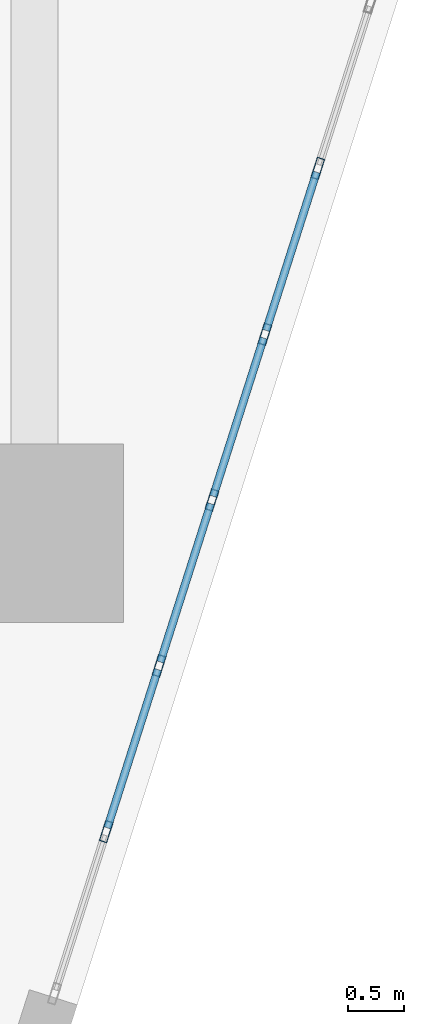
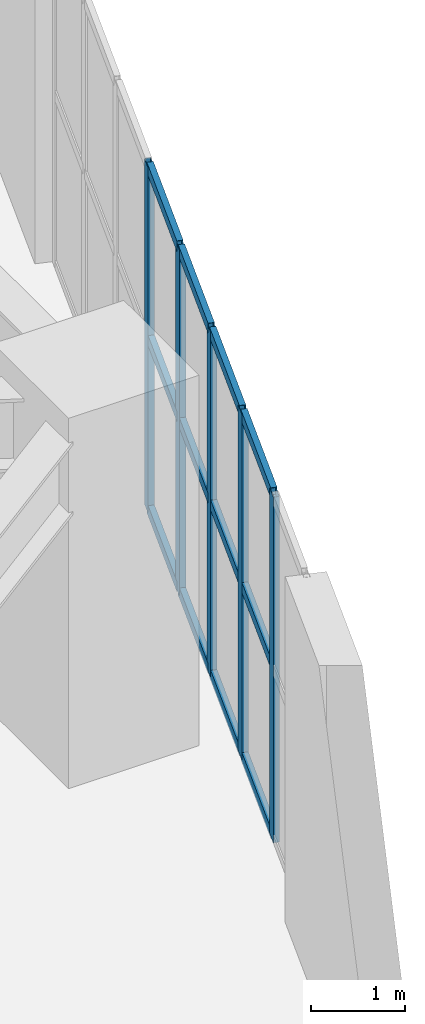
# One storey, part 7 of 15: 17 members, 1 element without a shape of its own.
"""IFC4 building model written with IfcOpenShell, lengths in metres."""

from ifc_helpers import new_model, si_unit, direction, frame, origin, origin_2d, place, context, subcontext, project, spatial, hollow_rectangle, extrude, material, layer, layer_set, material_profile, profile_set, type_object, element, aggregate, save


model = new_model("IFC4")

# Units and contexts
model_context = context("Model", 3, precision=1e-05, world=origin(), true_north=direction((0.0, 1.0)))
body_context = subcontext(model_context, "Body", "Model", "MODEL_VIEW")
ifc_project = project(units=[si_unit("LENGTHUNIT", "METRE"), si_unit("AREAUNIT", "SQUARE_METRE"), si_unit("VOLUMEUNIT", "CUBIC_METRE"), si_unit("PLANEANGLEUNIT", "RADIAN"), si_unit("MASSUNIT", "GRAM", prefix="KILO")], contexts=[model_context])

# Site, building, storey
site_placement = place(None, origin())
site = spatial("IfcSite", under=ifc_project, at=site_placement, CompositionType="ELEMENT")
building_placement = place(site_placement, origin())
building = spatial("IfcBuilding", under=site, at=building_placement, Name="Kilnhurst Terrace Hotel", CompositionType="ELEMENT")
storey_placement = place(building_placement, frame((0.0, 0.0, 23.39990234375)))
storey = spatial("IfcBuildingStorey", under=building, at=storey_placement, Name="L04", CompositionType="ELEMENT", Elevation=23.39990234375)

# Curtain wall, members
ifc_material_1 = material(Name="Anodized Aluminium Alloy 6063-T6 and Low-E Glass", Category="aluminium")
ifc_layer = layer(ifc_material_1, 0.219970703125, Name="Anodized Aluminium Alloy 6063-T6 and Low-E Glass")
ifc_layer_set = layer_set([ifc_layer], Name="Anodized Aluminium Alloy 6063-T6 and Low-E Glass")
curtain_wall_type = type_object("IfcCurtainWallType", Name="CW-POD-TERR", PredefinedType="NOTDEFINED", material=ifc_layer_set)
curtain_wall_placement = place(storey_placement, origin())
curtain_wall = element("IfcCurtainWall", 1, at=curtain_wall_placement, inside=storey, type_object=curtain_wall_type, Name="L04 Curtain Wall CW-L04-F2-1", PredefinedType="NOTDEFINED")
ifc_material_2 = material(Name="Extruded Aluminium Alloy 6063-T6", Category="aluminium")
ifc_material_profile_1 = material_profile(ifc_material_2, hollow_rectangle(XDim=0.070068359375, YDim=0.18994140625, WallThickness=0.00390625, at=origin_2d()), Name="CWM70X190")
ifc_profile_set_1 = profile_set([ifc_material_profile_1], Name="Extruded Aluminium Alloy 6063-T6")
member_type_1 = type_object("IfcMemberType", Name="MEM-CWM70X190", PredefinedType="MULLION", material=ifc_profile_set_1)
member_1_placement = place(storey_placement, frame((22.142822265625, -16.1748046875, 0.0), z_axis=(0.0, 0.0, 1.0), x_axis=(-0.952674620463, 0.303991887271, 0.0)))
member_1 = element("IfcMember", 2, at=member_1_placement, type_object=member_type_1, Name="CWT-2 mullion 2", PredefinedType="MULLION", context=body_context, shape_type="SweptSolid", body=[
    extrude(hollow_rectangle(XDim=0.070068359375, YDim=0.18994140625, WallThickness=0.00390625, at=origin_2d()), origin(), (0.0, 0.0, 1.0), 4.47998046875),
])
member_2_placement = place(storey_placement, frame((22.616943359375, -14.68896484375, 0.0), z_axis=(0.0, 0.0, 1.0), x_axis=(-0.952674620463, 0.303991887271, 0.0)))
member_2 = element("IfcMember", 3, at=member_2_placement, type_object=member_type_1, Name="CWT-2 mullion 3", PredefinedType="MULLION", context=body_context, shape_type="SweptSolid", body=[
    extrude(hollow_rectangle(XDim=0.070068359375, YDim=0.18994140625, WallThickness=0.00390625, at=origin_2d()), origin(), (0.0, 0.0, 1.0), 4.47998046875),
])
member_3_placement = place(storey_placement, frame((23.091064453125, -13.203125, 0.0), z_axis=(0.0, 0.0, 1.0), x_axis=(-0.952674620463, 0.303991887271, 0.0)))
member_3 = element("IfcMember", 4, at=member_3_placement, type_object=member_type_1, Name="CWT-2 mullion 4", PredefinedType="MULLION", context=body_context, shape_type="SweptSolid", body=[
    extrude(hollow_rectangle(XDim=0.070068359375, YDim=0.18994140625, WallThickness=0.00390625, at=origin_2d()), origin(), (0.0, 0.0, 1.0), 4.47998046875),
])
member_4_placement = place(storey_placement, frame((23.565185546875, -11.71728515625, 0.0), z_axis=(0.0, 0.0, 1.0), x_axis=(-0.952674620463, 0.303991887271, 0.0)))
member_4 = element("IfcMember", 5, at=member_4_placement, type_object=member_type_1, Name="CWT-2 mullion 5", PredefinedType="MULLION", context=body_context, shape_type="SweptSolid", body=[
    extrude(hollow_rectangle(XDim=0.070068359375, YDim=0.18994140625, WallThickness=0.00390625, at=origin_2d()), origin(), (0.0, 0.0, 1.0), 4.47998046875),
])
member_5_placement = place(storey_placement, frame((24.039306640625, -10.2314453125, 0.0), z_axis=(0.0, 0.0, 1.0), x_axis=(-0.952674620463, 0.303991887271, 0.0)))
member_5 = element("IfcMember", 6, at=member_5_placement, type_object=member_type_1, Name="CWT-2 mullion 6", PredefinedType="MULLION", context=body_context, shape_type="SweptSolid", body=[
    extrude(hollow_rectangle(XDim=0.070068359375, YDim=0.18994140625, WallThickness=0.00390625, at=origin_2d()), origin(), (0.0, 0.0, 1.0), 4.47998046875),
])
ifc_material_profile_2 = material_profile(ifc_material_2, hollow_rectangle(XDim=0.070068359375, YDim=0.135009765625, WallThickness=0.00390625, at=origin_2d()), Name="CWT70X135")
ifc_profile_set_2 = profile_set([ifc_material_profile_2], Name="Extruded Aluminium Alloy 6063-T6")
member_type_2 = type_object("IfcMemberType", Name="MEM-CWT70X135", PredefinedType="USERDEFINED", material=ifc_profile_set_2)
member_6_placement = place(storey_placement, frame((22.153564453125, -16.141357421875, 0.03515625), z_axis=(0.303907230159, 0.952701629818, 0.0), x_axis=(-0.952701629818, 0.303907230159, 0.0)))
member_6 = element("IfcMember", 7, at=member_6_placement, type_object=member_type_2, Name="CWT-2 transom 2.1", ObjectType="TRANSOM", PredefinedType="USERDEFINED", context=body_context, shape_type="SweptSolid", body=[
    extrude(hollow_rectangle(XDim=0.070068359375, YDim=0.135009765625, WallThickness=0.00390625, at=origin_2d()), origin(), (0.0, 0.0, 1.0), 1.489501953125),
])
member_7_placement = place(storey_placement, frame((22.153564453125, -16.141357421875, 2.239990234375), z_axis=(0.303907230159, 0.952701629818, 0.0), x_axis=(-0.952701629818, 0.303907230159, 0.0)))
member_7 = element("IfcMember", 8, at=member_7_placement, type_object=member_type_2, Name="CWT-2 transom 2.2", ObjectType="TRANSOM", PredefinedType="USERDEFINED", context=body_context, shape_type="SweptSolid", body=[
    extrude(hollow_rectangle(XDim=0.070068359375, YDim=0.135009765625, WallThickness=0.00390625, at=origin_2d()), origin(), (0.0, 0.0, 1.0), 1.489501953125),
])
member_8_placement = place(storey_placement, frame((22.153564453125, -16.141357421875, 4.445068359375), z_axis=(0.303907230159, 0.952701629818, 0.0), x_axis=(-0.952701629818, 0.303907230159, 0.0)))
member_8 = element("IfcMember", 9, at=member_8_placement, type_object=member_type_2, Name="CWT-2 transom 2.3", ObjectType="TRANSOM", PredefinedType="USERDEFINED", context=body_context, shape_type="SweptSolid", body=[
    extrude(hollow_rectangle(XDim=0.070068359375, YDim=0.135009765625, WallThickness=0.00390625, at=origin_2d()), origin(), (0.0, 0.0, 1.0), 1.489501953125),
])
member_9_placement = place(storey_placement, frame((22.627685546875, -14.655517578125, 0.03515625), z_axis=(0.303907230159, 0.952701629818, 0.0), x_axis=(-0.952701629818, 0.303907230159, 0.0)))
member_9 = element("IfcMember", 10, at=member_9_placement, type_object=member_type_2, Name="CWT-2 transom 3.1", ObjectType="TRANSOM", PredefinedType="USERDEFINED", context=body_context, shape_type="SweptSolid", body=[
    extrude(hollow_rectangle(XDim=0.070068359375, YDim=0.135009765625, WallThickness=0.00390625, at=origin_2d()), origin(), (0.0, 0.0, 1.0), 1.489501953125),
])
member_10_placement = place(storey_placement, frame((22.627685546875, -14.655517578125, 2.239990234375), z_axis=(0.303907230159, 0.952701629818, 0.0), x_axis=(-0.952701629818, 0.303907230159, 0.0)))
member_10 = element("IfcMember", 11, at=member_10_placement, type_object=member_type_2, Name="CWT-2 transom 3.2", ObjectType="TRANSOM", PredefinedType="USERDEFINED", context=body_context, shape_type="SweptSolid", body=[
    extrude(hollow_rectangle(XDim=0.070068359375, YDim=0.135009765625, WallThickness=0.00390625, at=origin_2d()), origin(), (0.0, 0.0, 1.0), 1.489501953125),
])
member_11_placement = place(storey_placement, frame((22.627685546875, -14.655517578125, 4.445068359375), z_axis=(0.303907230159, 0.952701629818, 0.0), x_axis=(-0.952701629818, 0.303907230159, 0.0)))
member_11 = element("IfcMember", 12, at=member_11_placement, type_object=member_type_2, Name="CWT-2 transom 3.3", ObjectType="TRANSOM", PredefinedType="USERDEFINED", context=body_context, shape_type="SweptSolid", body=[
    extrude(hollow_rectangle(XDim=0.070068359375, YDim=0.135009765625, WallThickness=0.00390625, at=origin_2d()), origin(), (0.0, 0.0, 1.0), 1.489501953125),
])
member_12_placement = place(storey_placement, frame((23.1015625, -13.169921875, 0.03515625), z_axis=(0.304008527603, 0.952669310488, 0.0), x_axis=(-0.952669310488, 0.304008527603, 0.0)))
member_12 = element("IfcMember", 13, at=member_12_placement, type_object=member_type_2, Name="CWT-2 transom 4.1", ObjectType="TRANSOM", PredefinedType="USERDEFINED", context=body_context, shape_type="SweptSolid", body=[
    extrude(hollow_rectangle(XDim=0.070068359375, YDim=0.135009765625, WallThickness=0.00390625, at=origin_2d()), origin(), (0.0, 0.0, 1.0), 1.48974609375),
])
member_13_placement = place(storey_placement, frame((23.1015625, -13.169921875, 2.239990234375), z_axis=(0.304008527603, 0.952669310488, 0.0), x_axis=(-0.952669310488, 0.304008527603, 0.0)))
member_13 = element("IfcMember", 14, at=member_13_placement, type_object=member_type_2, Name="CWT-2 transom 4.2", ObjectType="TRANSOM", PredefinedType="USERDEFINED", context=body_context, shape_type="SweptSolid", body=[
    extrude(hollow_rectangle(XDim=0.070068359375, YDim=0.135009765625, WallThickness=0.00390625, at=origin_2d()), origin(), (0.0, 0.0, 1.0), 1.48974609375),
])
member_14_placement = place(storey_placement, frame((23.1015625, -13.169921875, 4.445068359375), z_axis=(0.304008527603, 0.952669310488, 0.0), x_axis=(-0.952669310488, 0.304008527603, 0.0)))
member_14 = element("IfcMember", 15, at=member_14_placement, type_object=member_type_2, Name="CWT-2 transom 4.3", ObjectType="TRANSOM", PredefinedType="USERDEFINED", context=body_context, shape_type="SweptSolid", body=[
    extrude(hollow_rectangle(XDim=0.070068359375, YDim=0.135009765625, WallThickness=0.00390625, at=origin_2d()), origin(), (0.0, 0.0, 1.0), 1.48974609375),
])
member_15_placement = place(storey_placement, frame((23.57568359375, -11.68408203125, 0.03515625), z_axis=(0.304008527603, 0.952669310488, 0.0), x_axis=(-0.952669310488, 0.304008527603, 0.0)))
member_15 = element("IfcMember", 16, at=member_15_placement, type_object=member_type_2, Name="CWT-2 transom 5.1", ObjectType="TRANSOM", PredefinedType="USERDEFINED", context=body_context, shape_type="SweptSolid", body=[
    extrude(hollow_rectangle(XDim=0.070068359375, YDim=0.135009765625, WallThickness=0.00390625, at=origin_2d()), origin(), (0.0, 0.0, 1.0), 1.48974609375),
])
member_16_placement = place(storey_placement, frame((23.57568359375, -11.68408203125, 2.239990234375), z_axis=(0.304008527603, 0.952669310488, 0.0), x_axis=(-0.952669310488, 0.304008527603, 0.0)))
member_16 = element("IfcMember", 17, at=member_16_placement, type_object=member_type_2, Name="CWT-2 transom 5.2", ObjectType="TRANSOM", PredefinedType="USERDEFINED", context=body_context, shape_type="SweptSolid", body=[
    extrude(hollow_rectangle(XDim=0.070068359375, YDim=0.135009765625, WallThickness=0.00390625, at=origin_2d()), origin(), (0.0, 0.0, 1.0), 1.48974609375),
])
member_17_placement = place(storey_placement, frame((23.57568359375, -11.68408203125, 4.445068359375), z_axis=(0.304008527603, 0.952669310488, 0.0), x_axis=(-0.952669310488, 0.304008527603, 0.0)))
member_17 = element("IfcMember", 18, at=member_17_placement, type_object=member_type_2, Name="CWT-2 transom 5.3", ObjectType="TRANSOM", PredefinedType="USERDEFINED", context=body_context, shape_type="SweptSolid", body=[
    extrude(hollow_rectangle(XDim=0.070068359375, YDim=0.135009765625, WallThickness=0.00390625, at=origin_2d()), origin(), (0.0, 0.0, 1.0), 1.48974609375),
])
aggregate(curtain_wall, [member_1, member_2, member_3, member_4, member_5, member_6, member_7, member_8, member_9, member_10, member_11, member_12, member_13, member_14, member_15, member_16, member_17])

save(model, "model.ifc")
